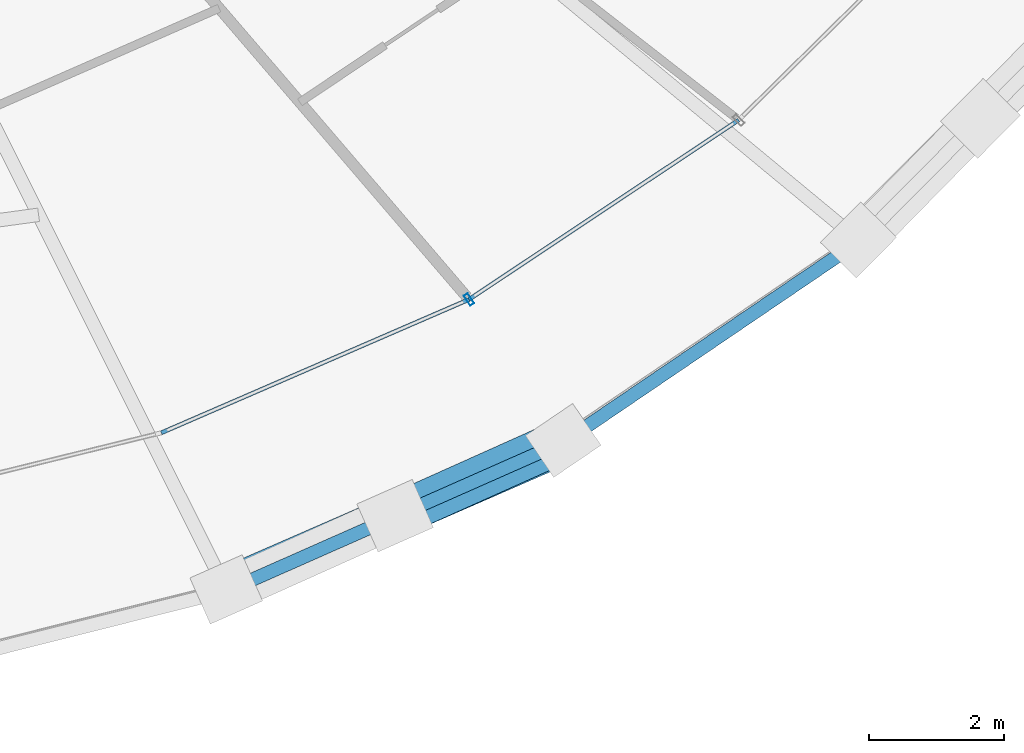
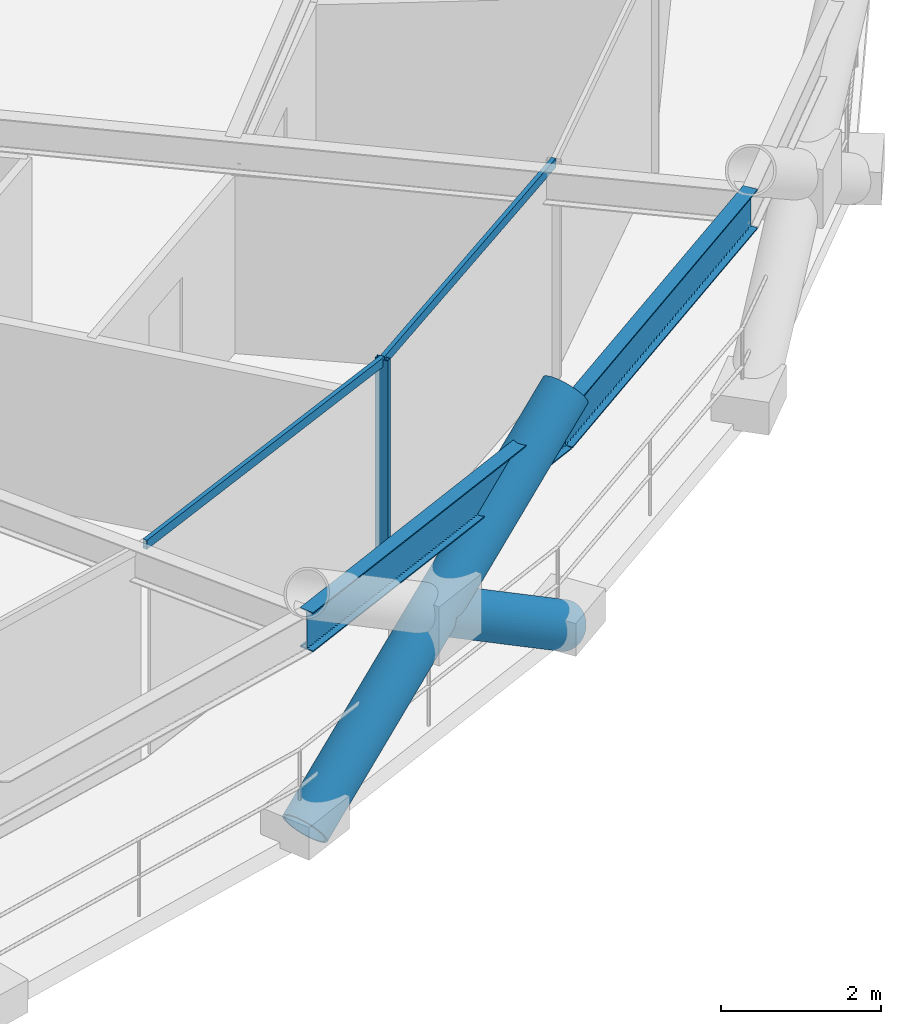
# One storey, part 8 of 21: 5 members, 2 beams, 1 element without a shape of its own.
"""IFC4 building model written with IfcOpenShell, lengths in metres."""

from ifc_helpers import new_model, si_unit, direction, frame, origin, origin_2d, place, context, subcontext, project, spatial, hollow_rectangle, hollow_circle, i_section, extrude, material, layer, layer_set, material_profile, profile_set, type_object, element, aggregate, save


model = new_model("IFC4")

# Units and contexts
model_context = context("Model", 3, precision=1e-05, world=origin(), true_north=direction((0.0, 1.0)))
body_context = subcontext(model_context, "Body", "Model", "MODEL_VIEW")
ifc_project = project(units=[si_unit("LENGTHUNIT", "METRE"), si_unit("AREAUNIT", "SQUARE_METRE"), si_unit("VOLUMEUNIT", "CUBIC_METRE"), si_unit("PLANEANGLEUNIT", "RADIAN"), si_unit("MASSUNIT", "GRAM", prefix="KILO")], contexts=[model_context])

# Site, building, storey
site_placement = place(None, origin())
site = spatial("IfcSite", under=ifc_project, at=site_placement, CompositionType="ELEMENT")
building_placement = place(site_placement, origin())
building = spatial("IfcBuilding", under=site, at=building_placement, Name="Veldorina Hangang Commons", CompositionType="ELEMENT")
storey_placement = place(building_placement, frame((0.0, 0.0, 73.60009765625)))
storey = spatial("IfcBuildingStorey", under=building, at=storey_placement, Name="L18", CompositionType="ELEMENT", Elevation=73.60009765625)

# Beams
ifc_material_1 = material(Name="Steel SM420-TMC", Category="steel")
ifc_material_profile_1 = material_profile(ifc_material_1, i_section(OverallWidth=0.199951171875, OverallDepth=0.60009765625, WebThickness=0.010986328125, FlangeThickness=0.01708984375, FilletRadius=0.01806640625, at=origin_2d()), Name="H-600x200x11x17")
ifc_profile_set_1 = profile_set([ifc_material_profile_1], Name="Steel SM420-TMC")
beam_type = type_object("IfcBeamType", Name="BM-RB600", PredefinedType="BEAM", material=ifc_profile_set_1)
beam_1_placement = place(storey_placement, frame((43.092529296875, 1.839599609375, 3.039794921875), z_axis=(0.91453945814, 0.404496699004, 0.0), x_axis=(-0.404496699004, 0.91453945814, 0.0)))
element("IfcBeam", 1, at=beam_1_placement, inside=storey, type_object=beam_type, Name="L18 perimeter hoop ring beam 26", PredefinedType="BEAM", context=body_context, shape_type="SweptSolid", body=[
    extrude(i_section(OverallWidth=0.199951171875, OverallDepth=0.60009765625, WebThickness=0.010986328125, FlangeThickness=0.01708984375, FilletRadius=0.01806640625, at=origin_2d()), origin(), (0.0, 0.0, 1.0), 5.479736328125),
])
beam_2_placement = place(storey_placement, frame((48.10400390625, 4.05615234375, 3.039794921875), z_axis=(0.827244514098, 0.561842072023, 0.0), x_axis=(-0.561842072023, 0.827244514098, 0.0)))
element("IfcBeam", 2, at=beam_2_placement, inside=storey, type_object=beam_type, Name="L18 perimeter hoop ring beam 27", PredefinedType="BEAM", context=body_context, shape_type="SweptSolid", body=[
    extrude(i_section(OverallWidth=0.199951171875, OverallDepth=0.60009765625, WebThickness=0.010986328125, FlangeThickness=0.01708984375, FilletRadius=0.01806640625, at=origin_2d()), origin(), (0.0, 0.0, 1.0), 5.3095703125),
])

# Curtain wall, members
ifc_material_2 = material(Name="Glass Low-E Triple IGU", Category="glass")
ifc_layer = layer(ifc_material_2, 0.179931640625)
ifc_layer_set = layer_set([ifc_layer], Name="Glass Low-E Triple IGU")
curtain_wall_type = type_object("IfcCurtainWallType", Name="CW-SYS-Z1", PredefinedType="NOTDEFINED", material=ifc_layer_set)
curtain_wall_placement = place(storey_placement, origin())
curtain_wall = element("IfcCurtainWall", 3, at=curtain_wall_placement, inside=storey, type_object=curtain_wall_type, Name="L18 unitised curtain wall CW-L18-R2", PredefinedType="NOTDEFINED")
ifc_material_3 = material(Name="Aluminium Anodized AA6063-T6", Category="aluminium")
ifc_material_profile_2 = material_profile(ifc_material_3, hollow_rectangle(XDim=0.070068359375, YDim=0.179931640625, WallThickness=0.00390625, at=origin_2d()), Name="ALU-RHS-180x70x4")
ifc_profile_set_2 = profile_set([ifc_material_profile_2], Name="Aluminium Anodized AA6063-T6")
member_type_1 = type_object("IfcMemberType", Name="CW-MUL-180", PredefinedType="MULLION", material=ifc_profile_set_2)
member_1_placement = place(storey_placement, frame((46.690673828125, 6.17138671875, 0.0), z_axis=(0.0, 0.0, 1.0), x_axis=(0.832505690486, 0.554016493716, 0.0)))
member_1 = element("IfcMember", 4, at=member_1_placement, type_object=member_type_1, Name="CW-L18-R2 vertical mullion 2", PredefinedType="MULLION", context=body_context, shape_type="SweptSolid", body=[
    extrude(hollow_rectangle(XDim=0.070068359375, YDim=0.179931640625, WallThickness=0.00390625, at=origin_2d()), origin(), (0.0, 0.0, 1.0), 3.2998046875),
])
ifc_material_profile_3 = material_profile(ifc_material_3, hollow_rectangle(XDim=0.06005859375, YDim=0.139892578125, WallThickness=0.00341796875, at=origin_2d()), Name="ALU-RHS-140x60x3.5")
ifc_profile_set_3 = profile_set([ifc_material_profile_3], Name="Aluminium Anodized AA6063-T6")
member_type_2 = type_object("IfcMemberType", Name="CW-TRN-140", PredefinedType="USERDEFINED", material=ifc_profile_set_3)
member_2_placement = place(storey_placement, frame((42.119140625, 4.189697265625, 3.260009765625), z_axis=(0.917504968831, 0.397724316796, 0.0), x_axis=(-0.397724316796, 0.917504968831, 0.0)))
member_2 = element("IfcMember", 5, at=member_2_placement, type_object=member_type_2, Name="CW-L18-R2 facet 2 transom 1", ObjectType="TRANSOM", PredefinedType="USERDEFINED", context=body_context, shape_type="SweptSolid", body=[
    extrude(hollow_rectangle(XDim=0.06005859375, YDim=0.139892578125, WallThickness=0.00341796875, at=origin_2d()), origin(), (0.0, 0.0, 1.0), 4.982666015625),
])
member_3_placement = place(storey_placement, frame((46.690673828125, 6.17138671875, 3.260009765625), z_axis=(0.832502642558, 0.554021073728, 0.0), x_axis=(-0.554021073728, 0.832502642558, 0.0)))
member_3 = element("IfcMember", 6, at=member_3_placement, type_object=member_type_2, Name="CW-L18-R2 facet 3 transom 1", ObjectType="TRANSOM", PredefinedType="USERDEFINED", context=body_context, shape_type="SweptSolid", body=[
    extrude(hollow_rectangle(XDim=0.06005859375, YDim=0.139892578125, WallThickness=0.00341796875, at=origin_2d()), origin(), (0.0, 0.0, 1.0), 4.81298828125),
])
aggregate(curtain_wall, [member_1, member_2, member_3])

# Members
ifc_material_4 = material(Name="Steel SM460-TMC", Category="steel")
ifc_material_profile_4 = material_profile(ifc_material_4, hollow_circle(Radius=0.324951171875, WallThickness=0.031982421875, at=origin_2d()), Name="CHS-650x32")
ifc_profile_set_4 = profile_set([ifc_material_profile_4], Name="Steel SM460-TMC")
member_type_3 = type_object("IfcMemberType", Name="DG-CHS650", PredefinedType="BRACE", material=ifc_profile_set_4)
member_4_placement = place(storey_placement, frame((43.08349609375, 1.861572265625, 0.0), z_axis=(0.766074422379, 0.334163800439, 0.549057860204), x_axis=(-0.399820604061, 0.916593412898, 0.0)))
element("IfcMember", 7, at=member_4_placement, inside=storey, type_object=member_type_3, Name="L18 continuous perimeter diagrid brace 26", PredefinedType="BRACE", context=body_context, shape_type="SweptSolid", body=[
    extrude(hollow_circle(Radius=0.324951171875, WallThickness=0.031982421875, at=origin_2d()), origin(), (0.0, 0.0, 1.0), 6.556396484375),
])
member_5_placement = place(storey_placement, frame((48.090576171875, 4.075927734375, 0.0), z_axis=(-0.762484890246, -0.341806142137, 0.549349937057), x_axis=(0.409058465758, -0.912508176178, 0.0)))
element("IfcMember", 8, at=member_5_placement, inside=storey, type_object=member_type_3, Name="L18 split perimeter diagrid lower brace 27", PredefinedType="BRACE", context=body_context, shape_type="SweptSolid", body=[
    extrude(hollow_circle(Radius=0.324951171875, WallThickness=0.031982421875, at=origin_2d()), origin(), (0.0, 0.0, 1.0), 3.27490234375),
])

save(model, "model.ifc")
